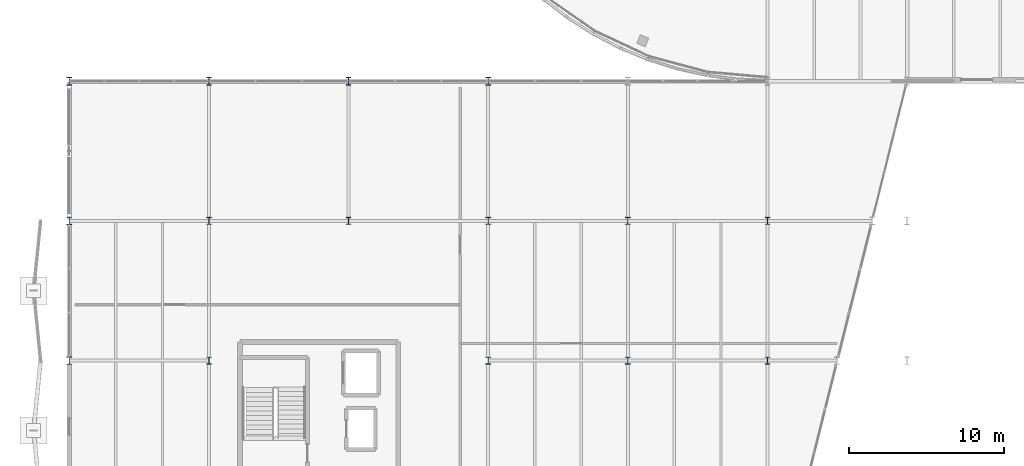
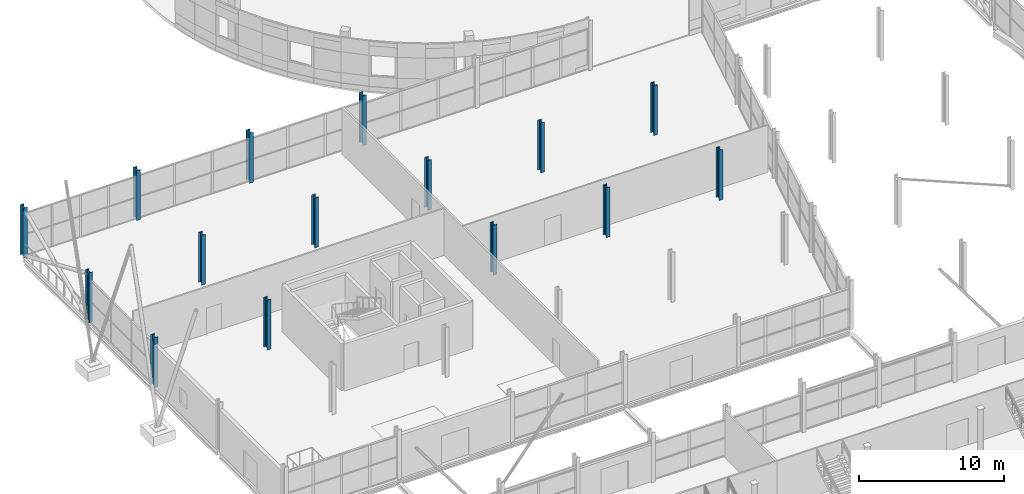
# One storey, part 9 of 140: 15 columns.
"""IFC4 building model written with IfcOpenShell, lengths in metres."""

from ifc_helpers import new_model, si_unit, direction, frame, origin, origin_2d, place, context, subcontext, project, spatial, i_section, extrude, material, material_profile, profile_set, type_object, element, save


model = new_model("IFC4")

# Units and contexts
model_context = context("Model", 3, precision=1e-05, world=origin(), true_north=direction((0.0, 1.0)))
body_context = subcontext(model_context, "Body", "Model", "MODEL_VIEW")
ifc_project = project(units=[si_unit("LENGTHUNIT", "METRE"), si_unit("AREAUNIT", "SQUARE_METRE"), si_unit("VOLUMEUNIT", "CUBIC_METRE"), si_unit("PLANEANGLEUNIT", "RADIAN"), si_unit("MASSUNIT", "GRAM", prefix="KILO")], contexts=[model_context])

# Site, building, storey
site_placement = place(None, origin())
site = spatial("IfcSite", under=ifc_project, at=site_placement, CompositionType="ELEMENT")
building_placement = place(site_placement, origin())
building = spatial("IfcBuilding", under=site, at=building_placement, Name="Deido Ridge Mobility Hub", CompositionType="ELEMENT")
storey_placement = place(building_placement, origin())
storey = spatial("IfcBuildingStorey", under=building, at=storey_placement, Name="L00", CompositionType="ELEMENT", Elevation=0.0)

# Columns
ifc_material = material(Name="Steel S355J2 EN 10025-2", Category="steel")
ifc_material_profile_1 = material_profile(ifc_material, i_section(OverallWidth=0.300048828125, OverallDepth=0.449951171875, WebThickness=0.013916015625, FlangeThickness=0.02587890625, FilletRadius=0.027099609375, at=origin_2d()), Name="HEB 450")
ifc_profile_set_1 = profile_set([ifc_material_profile_1], Name="Steel S355J2 EN 10025-2")
column_type_1 = type_object("IfcColumnType", Name="COL-HEB450", PredefinedType="COLUMN", material=ifc_profile_set_1)
for number, where, z_axis, x_axis, name in (
    (1, (9.0, 63.0, 0.0), (0.0, 0.0, 1.0), (1.0, 0.0, 0.0), "Structural column C6"),
    (2, (27.0, 63.0, 0.0), (0.0, 0.0, 1.0), (1.0, 0.0, 0.0), "Structural column C6"),
    (3, (36.0, 63.0, 0.0), (0.0, 0.0, 1.0), (1.0, 0.0, 0.0), "Structural column C6"),
    (4, (45.0, 63.0, 0.0), (0.0, 0.0, 1.0), (1.0, 0.0, 0.0), "Structural column C6"),
    (5, (9.0, 72.0, 0.0), (0.0, 0.0, 1.0), (1.0, 0.0, 0.0), "Structural column C6"),
    (6, (18.0, 72.0, 0.0), (0.0, 0.0, 1.0), (1.0, 0.0, 0.0), "Structural column C6"),
    (7, (27.0, 72.0, 0.0), (0.0, 0.0, 1.0), (1.0, 0.0, 0.0), "Structural column C6"),
    (8, (36.0, 72.0, 0.0), (0.0, 0.0, 1.0), (1.0, 0.0, 0.0), "Structural column C6"),
    (9, (45.0, 72.0, 0.0), (0.0, 0.0, 1.0), (1.0, 0.0, 0.0), "Structural column C6"),
):
    element("IfcColumn", number, at=place(storey_placement, frame(where, z_axis=z_axis, x_axis=x_axis)), inside=storey, type_object=column_type_1, Name=name, PredefinedType="COLUMN", context=body_context, shape_type="SweptSolid", body=[
        extrude(i_section(OverallWidth=0.300048828125, OverallDepth=0.449951171875, WebThickness=0.013916015625, FlangeThickness=0.02587890625, FilletRadius=0.027099609375, at=origin_2d()), origin(), (0.0, 0.0, 1.0), 4.199951171875),
    ])
ifc_material_profile_2 = material_profile(ifc_material, i_section(OverallWidth=0.300048828125, OverallDepth=0.5, WebThickness=0.014404296875, FlangeThickness=0.028076171875, FilletRadius=0.027099609375, at=origin_2d()), Name="HEB 500")
ifc_profile_set_2 = profile_set([ifc_material_profile_2], Name="Steel S355J2 EN 10025-2")
column_type_2 = type_object("IfcColumnType", Name="COL-HEB500", PredefinedType="COLUMN", material=ifc_profile_set_2)
for number, where, z_axis, x_axis, name in (
    (10, (0.0, 63.0, 0.0), (0.0, 0.0, 1.0), (1.0, 0.0, 0.0), "Structural column C5"),
    (11, (0.0, 72.0, 0.0), (0.0, 0.0, 1.0), (1.0, 0.0, 0.0), "Structural column C5"),
    (12, (0.0, 81.0, 0.0), (0.0, 0.0, 1.0), (1.0, 0.0, 0.0), "Structural column C5"),
    (13, (9.0, 81.0, 0.0), (0.0, 0.0, 1.0), (1.0, 0.0, 0.0), "Structural column C5"),
    (14, (18.0, 81.0, 0.0), (0.0, 0.0, 1.0), (1.0, 0.0, 0.0), "Structural column C5"),
    (15, (27.0, 81.0, 0.0), (0.0, 0.0, 1.0), (1.0, 0.0, 0.0), "Structural column C5"),
):
    element("IfcColumn", number, at=place(storey_placement, frame(where, z_axis=z_axis, x_axis=x_axis)), inside=storey, type_object=column_type_2, Name=name, PredefinedType="COLUMN", context=body_context, shape_type="SweptSolid", body=[
        extrude(i_section(OverallWidth=0.300048828125, OverallDepth=0.5, WebThickness=0.014404296875, FlangeThickness=0.028076171875, FilletRadius=0.027099609375, at=origin_2d()), origin(), (0.0, 0.0, 1.0), 4.199951171875),
    ])

save(model, "model.ifc")
